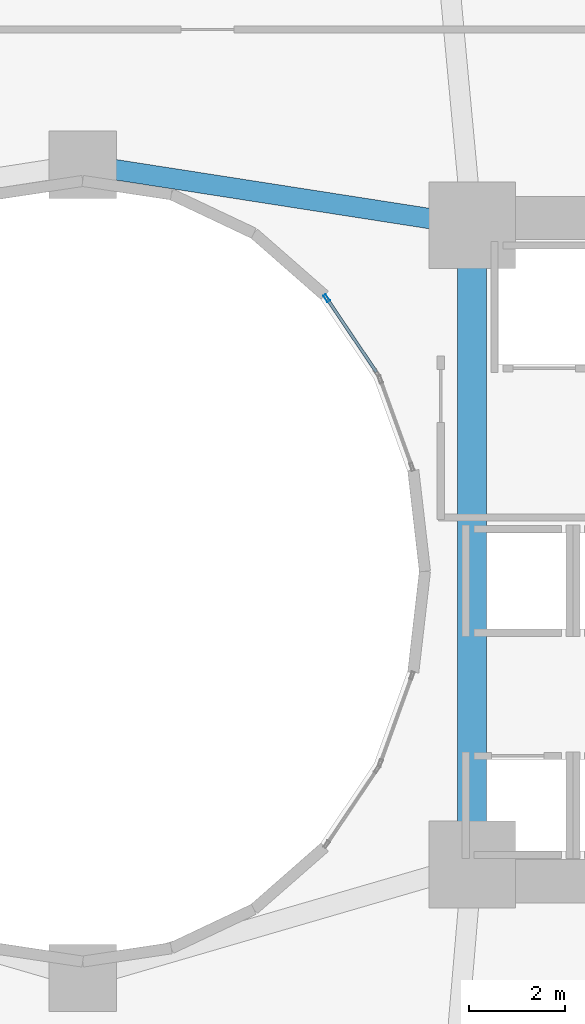
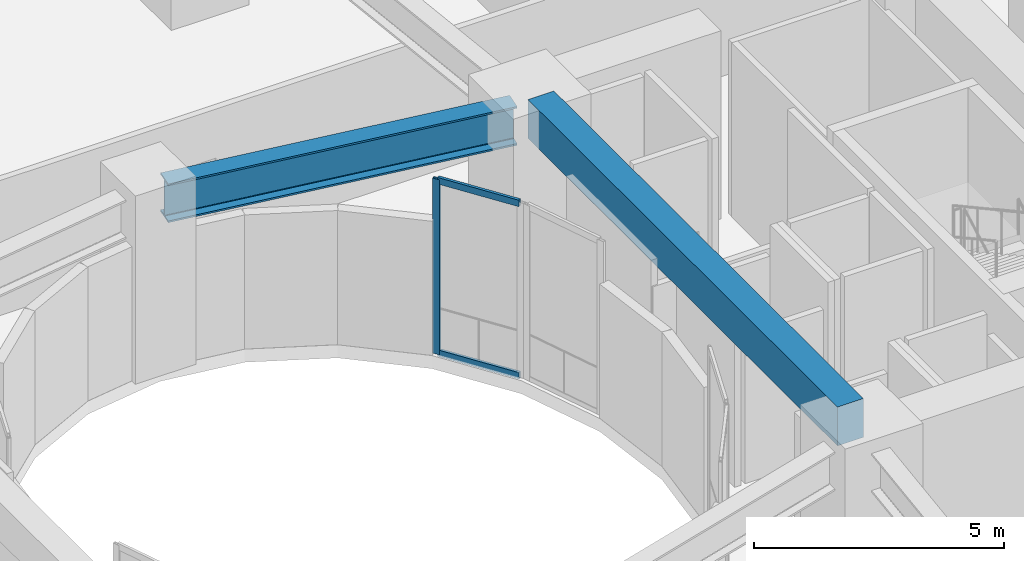
# One storey, part 8 of 25: 3 members, 2 beams, 1 element without a shape of its own.
"""IFC4 building model written with IfcOpenShell, lengths in metres."""

from ifc_helpers import new_model, si_unit, direction, frame, origin, origin_2d, place, context, subcontext, project, spatial, rectangle, hollow_rectangle, i_section, extrude, material, layer, layer_set, material_profile, profile_set, type_object, element, aggregate, save


model = new_model("IFC4")

# Units and contexts
model_context = context("Model", 3, precision=1e-05, world=origin(), true_north=direction((0.0, 1.0)))
body_context = subcontext(model_context, "Body", "Model", "MODEL_VIEW")
ifc_project = project(units=[si_unit("LENGTHUNIT", "METRE"), si_unit("AREAUNIT", "SQUARE_METRE"), si_unit("VOLUMEUNIT", "CUBIC_METRE"), si_unit("PLANEANGLEUNIT", "RADIAN"), si_unit("MASSUNIT", "GRAM", prefix="KILO")], contexts=[model_context])

# Site, building, storey
site_placement = place(None, origin())
site = spatial("IfcSite", under=ifc_project, at=site_placement, CompositionType="ELEMENT")
building_placement = place(site_placement, origin())
building = spatial("IfcBuilding", under=site, at=building_placement, Name="Solvane Sanctuary Tower", CompositionType="ELEMENT")
storey_placement = place(building_placement, frame((0.0, 0.0, 13.800048828125)))
storey = spatial("IfcBuildingStorey", under=building, at=storey_placement, Name="L04", CompositionType="ELEMENT", Elevation=13.800048828125)

# Beams
ifc_material_1 = material(Name="Concrete C70/85", Category="concrete")
ifc_material_profile_1 = material_profile(ifc_material_1, rectangle(XDim=0.60009765625, YDim=0.949951171875, at=origin_2d()), Name="RC600X950")
ifc_profile_set_1 = profile_set([ifc_material_profile_1], Name="Concrete C70/85")
beam_type_1 = type_object("IfcBeamType", Name="Beam B-COUPLE RC600X950", PredefinedType="LINTEL", material=ifc_profile_set_1)
beam_1_placement = place(storey_placement, frame((40.10009765625, 17.35009765625, 4.125), z_axis=(0.0, 1.0, 0.0), x_axis=(-1.0, 0.0, 0.0)))
element("IfcBeam", 1, at=beam_1_placement, inside=storey, type_object=beam_type_1, Name="L04 East Core Coupling Lintel", PredefinedType="LINTEL", context=body_context, shape_type="SweptSolid", body=[
    extrude(rectangle(XDim=0.60009765625, YDim=0.949951171875, at=origin_2d()), origin(), (0.0, 0.0, 1.0), 12.39990234375),
])
ifc_material_2 = material(Name="Steel ASTM A913 Grade 65", Category="steel")
ifc_material_profile_2 = material_profile(ifc_material_2, i_section(OverallWidth=0.423095703125, OverallDepth=0.947998046875, WebThickness=0.02392578125, FlangeThickness=0.042724609375, FilletRadius=0.02392578125, at=origin_2d()), Name="W36X302")
ifc_profile_set_2 = profile_set([ifc_material_profile_2], Name="Steel ASTM A913 Grade 65")
beam_type_2 = type_object("IfcBeamType", Name="Beam B-POD-GIRD W36X302", PredefinedType="BEAM", material=ifc_profile_set_2)
beam_2_placement = place(storey_placement, frame((32.345703125, 31.40625, 3.803955078125), z_axis=(0.988118117449, -0.153696408448, 0.0), x_axis=(0.153696408448, 0.988118117449, 0.0)))
element("IfcBeam", 2, at=beam_2_placement, inside=storey, type_object=beam_type_2, Name="L04 Podium Primary Girder PG20", PredefinedType="BEAM", context=body_context, shape_type="SweptSolid", body=[
    extrude(i_section(OverallWidth=0.423095703125, OverallDepth=0.947998046875, WebThickness=0.02392578125, FlangeThickness=0.042724609375, FilletRadius=0.02392578125, at=origin_2d()), origin(), (0.0, 0.0, 1.0), 7.49755859375),
])

# Curtain wall, members
ifc_material_3 = material(Name="Anodised Aluminium 6063-T6", Category="aluminium")
ifc_layer = layer(ifc_material_3, 0.199951171875, Name="Anodised Aluminium 6063-T6")
ifc_layer_set = layer_set([ifc_layer], Name="Anodised Aluminium 6063-T6")
curtain_wall_type = type_object("IfcCurtainWallType", Name="Curtain Wall CW-WELL", PredefinedType="NOTDEFINED", material=ifc_layer_set)
curtain_wall_placement = place(storey_placement, origin())
curtain_wall = element("IfcCurtainWall", 3, at=curtain_wall_placement, inside=storey, type_object=curtain_wall_type, Name="L04 Light-Well Curtain Wall 02", PredefinedType="NOTDEFINED")
ifc_material_profile_3 = material_profile(ifc_material_3, hollow_rectangle(XDim=0.06494140625, YDim=0.159912109375, WallThickness=0.00341796875, at=origin_2d()), Name="ALU160X65X3.5")
ifc_profile_set_3 = profile_set([ifc_material_profile_3], Name="Anodised Aluminium 6063-T6")
member_type_1 = type_object("IfcMemberType", Name="Member M-CW-MUL-2 ALU160X65X3.5", PredefinedType="MULLION", material=ifc_profile_set_3)
member_1_placement = place(storey_placement, frame((37.074951171875, 28.681640625, 0.0), z_axis=(0.0, 0.0, 1.0), x_axis=(-0.829664150104, -0.558262839559, 0.0)))
member_1 = element("IfcMember", 4, at=member_1_placement, type_object=member_type_1, Name="CW-WELL mullion 2", PredefinedType="MULLION", context=body_context, shape_type="SweptSolid", body=[
    extrude(hollow_rectangle(XDim=0.06494140625, YDim=0.159912109375, WallThickness=0.00341796875, at=origin_2d()), origin(), (0.0, 0.0, 1.0), 4.280029296875),
])
ifc_material_profile_4 = material_profile(ifc_material_3, hollow_rectangle(XDim=0.06494140625, YDim=0.159912109375, WallThickness=0.00341796875, at=origin_2d()), Name="ALU160X65X3.5")
ifc_profile_set_4 = profile_set([ifc_material_profile_4], Name="Anodised Aluminium 6063-T6")
member_type_2 = type_object("IfcMemberType", Name="Member M-CW-TRN-1 ALU160X65X3.5", PredefinedType="USERDEFINED", material=ifc_profile_set_4)
member_2_placement = place(storey_placement, frame((38.107421875, 27.147216796875, 0.032470703125), z_axis=(-0.558230518083, 0.829685897603, 0.0), x_axis=(-0.829685897603, -0.558230518083, 0.0)))
member_2 = element("IfcMember", 5, at=member_2_placement, type_object=member_type_2, Name="CW-WELL transom 1.1", ObjectType="TRANSOM", PredefinedType="USERDEFINED", context=body_context, shape_type="SweptSolid", body=[
    extrude(hollow_rectangle(XDim=0.06494140625, YDim=0.159912109375, WallThickness=0.00341796875, at=origin_2d()), origin(), (0.0, 0.0, 1.0), 1.816650390625),
])
member_3_placement = place(storey_placement, frame((38.107421875, 27.147216796875, 4.24755859375), z_axis=(-0.558230518083, 0.829685897603, 0.0), x_axis=(-0.829685897603, -0.558230518083, 0.0)))
member_3 = element("IfcMember", 6, at=member_3_placement, type_object=member_type_2, Name="CW-WELL transom 1.2", ObjectType="TRANSOM", PredefinedType="USERDEFINED", context=body_context, shape_type="SweptSolid", body=[
    extrude(hollow_rectangle(XDim=0.06494140625, YDim=0.159912109375, WallThickness=0.00341796875, at=origin_2d()), origin(), (0.0, 0.0, 1.0), 1.816650390625),
])
aggregate(curtain_wall, [member_1, member_2, member_3])

save(model, "model.ifc")
